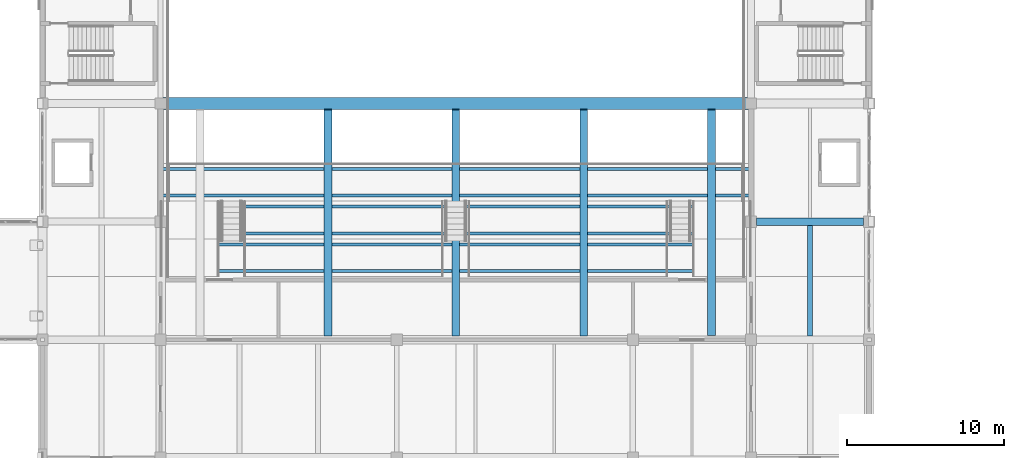
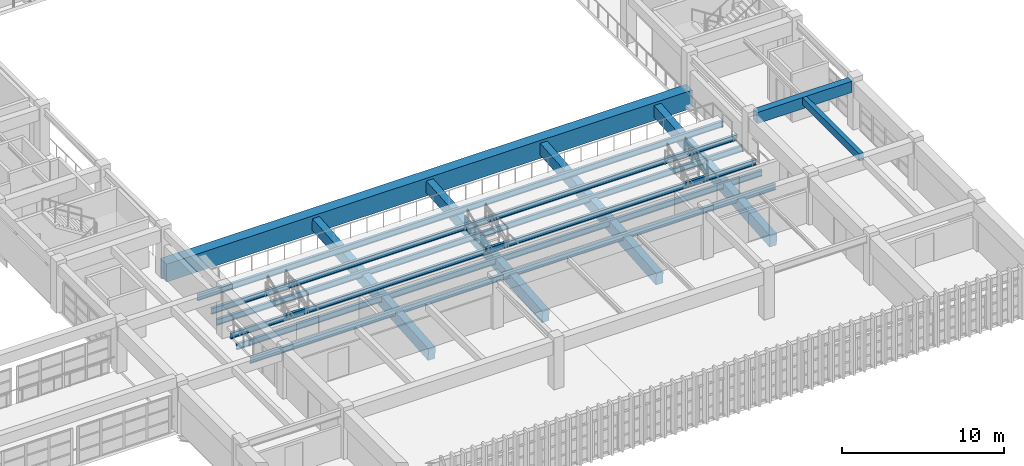
# One storey, part 47 of 101: 13 beams.
"""IFC4 building model written with IfcOpenShell, lengths in metres."""

import ifcopenshell
import ifcopenshell.guid

model = None  # the IFC model being written
_history = None  # IfcOwnerHistory: only IFC2X3 demands one
_inside = {}  # id of a spatial element -> (the spatial element, [elements in it])
_under = {}  # id of a project, library or spatial element -> (it, [spatial elements below it])
_declared = {}  # id of a project -> (the project, [libraries it declares])
_typed = {}  # id of a type object -> (the type object, [elements of that type])
_made_of = {}  # id of a material, layer set ... -> (it, [elements and type objects made of it])


def new_model(schema):
    """Start an empty IFC model of exactly this schema.

    Asked for "IFC4X3", IfcOpenShell would pick the latest addendum, in which some entities
    have other attributes; the version numbers below select the first issue.
    IFC2X3 requires an IfcOwnerHistory on every rooted entity: one is made here for all.
    """
    global model, _history
    if schema == "IFC4X3":
        model = ifcopenshell.file(schema_version=(4, 3, 0, 0))
    else:
        model = ifcopenshell.file(schema=schema)
    _inside.clear()
    _under.clear()
    _declared.clear()
    _typed.clear()
    _made_of.clear()
    _history = None
    if model.schema == "IFC2X3":
        org = make("IfcOrganization", Name="unknown")
        user = make(
            "IfcPersonAndOrganization",
            ThePerson=make("IfcPerson", FamilyName="unknown"),
            TheOrganization=org,
        )
        app = make(
            "IfcApplication",
            ApplicationDeveloper=org,
            Version="unknown",
            ApplicationFullName="unknown",
            ApplicationIdentifier="unknown",
        )
        _history = make(
            "IfcOwnerHistory",
            OwningUser=user,
            OwningApplication=app,
            ChangeAction="ADDED",
            CreationDate=0,
        )
    return model


def make(cls, **values):
    """One entity of the class cls with the attributes given. An attribute that is None is left unset."""
    return model.create_entity(
        cls, **{name: value for name, value in values.items() if value is not None}
    )


def rooted(cls, **values):
    """An entity with a GlobalId (a new one), such as an element, a storey or a relation."""
    return make(cls, GlobalId=ifcopenshell.guid.new(), OwnerHistory=_history, **values)


def si_unit(unit_type, name, prefix=None):
    """IfcSIUnit, for example si_unit("LENGTHUNIT", "METRE", prefix="MILLI")."""
    return make("IfcSIUnit", UnitType=unit_type, Prefix=prefix, Name=name)


def assignment(units):
    """IfcUnitAssignment: the units of a project."""
    return None if units is None else make("IfcUnitAssignment", Units=units)


def point(xyz):
    """IfcCartesianPoint."""
    return None if xyz is None else make("IfcCartesianPoint", Coordinates=xyz)


def direction(xyz):
    """IfcDirection."""
    return None if xyz is None else make("IfcDirection", DirectionRatios=xyz)


def frame(location, z_axis=None, x_axis=None):
    """IfcAxis2Placement3D, a coordinate frame: its origin and axes. An axis left out is left unset."""
    return make(
        "IfcAxis2Placement3D",
        Location=point(location),
        Axis=direction(z_axis),
        RefDirection=direction(x_axis),
    )


def frame_2d(location, x_axis=None):
    """IfcAxis2Placement2D, a coordinate frame in the plane: its origin and x axis."""
    return make(
        "IfcAxis2Placement2D", Location=point(location), RefDirection=direction(x_axis)
    )


def origin():
    """The frame at (0, 0, 0) with its axes left unset."""
    return frame((0.0, 0.0, 0.0))


def origin_2d():
    """The frame at (0, 0) in the plane with its x axis left unset."""
    return frame_2d((0.0, 0.0))


def place(relative_to, where):
    """IfcLocalPlacement: puts the frame where relative to a parent placement (None: the world)."""
    return make(
        "IfcLocalPlacement", PlacementRelTo=relative_to, RelativePlacement=where
    )


def context(
    kind, dimensions, precision=None, world=None, true_north=None, identifier=None
):
    """IfcGeometricRepresentationContext, for example the 3D "Model" context."""
    return make(
        "IfcGeometricRepresentationContext",
        ContextIdentifier=identifier,
        ContextType=kind,
        CoordinateSpaceDimension=dimensions,
        Precision=precision,
        WorldCoordinateSystem=world,
        TrueNorth=true_north,
    )


def subcontext(parent, identifier, kind, view, scale=None):
    """IfcGeometricRepresentationSubContext, for example "Body" below "Model"."""
    return make(
        "IfcGeometricRepresentationSubContext",
        ContextIdentifier=identifier,
        ContextType=kind,
        ParentContext=parent,
        TargetScale=scale,
        TargetView=view,
    )


def project(units=None, contexts=None):
    """IfcProject with its units and contexts."""
    return rooted(
        "IfcProject",
        Name="project",
        RepresentationContexts=contexts,
        UnitsInContext=assignment(units),
    )


def spatial(cls, under=None, at=None, **own):
    """A site, building, storey or space (cls), placed at a placement, below another one or the project."""
    s = rooted(cls, ObjectPlacement=at, **own)
    if under is not None:
        _under.setdefault(under.id(), (under, []))[1].append(s)
    return s


def profile(cls, at=None, kind="AREA", **sizes):
    """A parametric profile (cls). Its sizes go by their IFC names, for example OverallWidth=200.0."""
    return make(cls, ProfileType=kind, Position=at, **sizes)


def rectangle(**sizes):
    """IfcRectangleProfileDef."""
    return profile("IfcRectangleProfileDef", **sizes)


def i_section(**sizes):
    """IfcIShapeProfileDef."""
    return profile("IfcIShapeProfileDef", **sizes)


def extrude(swept, where, along, depth):
    """IfcExtrudedAreaSolid: the profile swept, set in the frame where, extruded along a direction by depth."""
    return make(
        "IfcExtrudedAreaSolid",
        SweptArea=swept,
        Position=where,
        ExtrudedDirection=direction(along),
        Depth=depth,
    )


def shape(context_of_items, identifier, shape_type, items):
    """IfcShapeRepresentation: the items that make up one representation, for example the "Body"."""
    return make(
        "IfcShapeRepresentation",
        ContextOfItems=context_of_items,
        RepresentationIdentifier=identifier,
        RepresentationType=shape_type,
        Items=items,
    )


def material(Name=None, Category=None):
    """IfcMaterial."""
    return make("IfcMaterial", Name=Name, Category=Category)


def material_profile(
    of_material, cross_section, Name=None, Category=None, Priority=None
):
    """IfcMaterialProfile: a cross section and its material."""
    return make(
        "IfcMaterialProfile",
        Name=Name,
        Material=of_material,
        Profile=cross_section,
        Priority=Priority,
        Category=Category,
    )


def profile_set(profiles, Name=None, composite=None):
    """IfcMaterialProfileSet."""
    return make(
        "IfcMaterialProfileSet",
        Name=Name,
        MaterialProfiles=profiles,
        CompositeProfile=composite,
    )


def made_of(thing, what):
    """Note that an element or type object is made of a material, layer set ...; save() writes the relation."""
    if what is not None:
        _made_of.setdefault(what.id(), (what, []))[1].append(thing)
    return thing


def type_object(cls, material=None, **own):
    """A type object (cls), such as IfcWallType, which elements share."""
    return made_of(rooted(cls, **own), material)


def element(
    cls,
    number,
    at=None,
    inside=None,
    cuts=None,
    type_object=None,
    material=None,
    context=None,
    identifier="Body",
    shape_type=None,
    held_by="IfcProductDefinitionShape",
    body=None,
    shapes=None,
    **own,
):
    """One element of the class cls, such as IfcWall. Its Tag is "e" and its number.

    at: its placement. inside: the storey or other place that contains it. cuts: it is an
    opening in that element (IfcRelVoidsElement). A single representation is given by context,
    identifier, shape_type and body (its items); several are given by shapes. held_by: the class
    of the entity that holds the representations. save() writes the other relations.
    """
    e = rooted(cls, Tag="e%d" % number, ObjectPlacement=at, **own)
    if body is not None:
        shapes = [shape(context, identifier, shape_type, body)]
    if shapes is not None:
        e.Representation = make(held_by, Representations=shapes)
    if inside is not None:
        _inside.setdefault(inside.id(), (inside, []))[1].append(e)
    if cuts is not None:
        rooted(
            "IfcRelVoidsElement", RelatingBuildingElement=cuts, RelatedOpeningElement=e
        )
    if type_object is not None:
        _typed.setdefault(type_object.id(), (type_object, []))[1].append(e)
    return made_of(e, material)


def aggregate(whole, parts):
    """IfcRelAggregates: a whole, such as a stair, and the parts it consists of."""
    return rooted("IfcRelAggregates", RelatingObject=whole, RelatedObjects=parts)


def save(model, path):
    """Write the relations noted so far, then the file.

    IfcRelAggregates (storeys below a building ...), IfcRelContainedInSpatialStructure (elements
    in a storey), IfcRelDefinesByType, IfcRelAssociatesMaterial and IfcRelDeclares: one each for
    every whole, place, type object, material and project.
    """
    for whole, parts in _under.values():
        aggregate(whole, parts)
    for where, things in _inside.values():
        rooted(
            "IfcRelContainedInSpatialStructure",
            RelatedElements=things,
            RelatingStructure=where,
        )
    for kind, things in _typed.values():
        rooted("IfcRelDefinesByType", RelatedObjects=things, RelatingType=kind)
    for what, things in _made_of.values():
        rooted("IfcRelAssociatesMaterial", RelatedObjects=things, RelatingMaterial=what)
    for by, libraries in _declared.values():
        rooted("IfcRelDeclares", RelatingContext=by, RelatedDefinitions=libraries)
    model.write(path)


model = new_model("IFC4")

# Units and contexts
model_context = context("Model", 3, precision=1e-05, world=origin(), true_north=direction((0.0, 1.0)))
body_context = subcontext(model_context, "Body", "Model", "MODEL_VIEW")
ifc_project = project(units=[si_unit("LENGTHUNIT", "METRE"), si_unit("AREAUNIT", "SQUARE_METRE"), si_unit("VOLUMEUNIT", "CUBIC_METRE"), si_unit("PLANEANGLEUNIT", "RADIAN"), si_unit("MASSUNIT", "GRAM", prefix="KILO")], contexts=[model_context])

# Site, building, storey
site_placement = place(None, origin())
site = spatial("IfcSite", under=ifc_project, at=site_placement, CompositionType="ELEMENT")
building_placement = place(site_placement, origin())
building = spatial("IfcBuilding", under=site, at=building_placement, Name="Qasida Concert Hall", CompositionType="ELEMENT")
storey_placement = place(building_placement, frame((0.0, 0.0, 13.199951171875)))
storey = spatial("IfcBuildingStorey", under=building, at=storey_placement, Name="L03", CompositionType="ELEMENT", Elevation=13.199951171875)

# Beams
ifc_material_1 = material(Name="Steel S355J2", Category="steel")
ifc_material_profile_1 = material_profile(ifc_material_1, i_section(OverallWidth=0.18994140625, OverallDepth=0.449951171875, WebThickness=0.009521484375, FlangeThickness=0.0146484375, FilletRadius=0.02099609375, at=origin_2d()), Name="IPE 450")
ifc_profile_set_1 = profile_set([ifc_material_profile_1], Name="Steel S355J2")
beam_type_1 = type_object("IfcBeamType", Name="BM-B5", PredefinedType="BEAM", material=ifc_profile_set_1)
for number, where, z_axis, x_axis, name in (
    (1, (60.0, 34.35009765625, -0.02490234375), (1.0, 0.0, 0.0), (0.0, 1.0, 0.0), "Upper balcony tier bearer beam TB-L03-1A"),
    (2, (60.0, 36.050048828125, -0.02490234375), (1.0, 0.0, 0.0), (0.0, 1.0, 0.0), "Upper balcony tier bearer beam TB-L03-1B"),
    (3, (60.0, 36.75, 0.375), (1.0, 0.0, 0.0), (0.0, 1.0, 0.0), "Upper balcony tier bearer beam TB-L03-2A"),
    (4, (60.0, 38.449951171875, 0.375), (1.0, 0.0, 0.0), (0.0, 1.0, 0.0), "Upper balcony tier bearer beam TB-L03-2B"),
    (5, (60.0, 39.14990234375, 0.775146484375), (1.0, 0.0, 0.0), (0.0, 1.0, 0.0), "Upper balcony tier bearer beam TB-L03-3A"),
    (6, (60.0, 40.85009765625, 0.775146484375), (1.0, 0.0, 0.0), (0.0, 1.0, 0.0), "Upper balcony tier bearer beam TB-L03-3B"),
):
    element("IfcBeam", number, at=place(storey_placement, frame(where, z_axis=z_axis, x_axis=x_axis)), inside=storey, type_object=beam_type_1, Name=name, PredefinedType="BEAM", context=body_context, shape_type="SweptSolid", body=[
        extrude(i_section(OverallWidth=0.18994140625, OverallDepth=0.449951171875, WebThickness=0.009521484375, FlangeThickness=0.0146484375, FilletRadius=0.02099609375, at=origin_2d()), origin(), (0.0, 0.0, 1.0), 37.5),
    ])
ifc_material_2 = material(Name="Concrete C50/60", Category="concrete")
ifc_material_profile_2 = material_profile(ifc_material_2, rectangle(XDim=0.75, YDim=1.35009765625, at=origin_2d()), Name="RC 750x1350")
ifc_profile_set_2 = profile_set([ifc_material_profile_2], Name="Concrete C50/60")
beam_type_2 = type_object("IfcBeamType", Name="BM-G5", PredefinedType="USERDEFINED", material=ifc_profile_set_2)
beam_1_placement = place(storey_placement, frame((60.0, 45.0, 0.300048828125), z_axis=(1.0, 0.0, 0.0), x_axis=(0.0, 1.0, 0.0)))
element("IfcBeam", 7, at=beam_1_placement, inside=storey, type_object=beam_type_2, Name="Auditorium upper balcony girder G5-U45", ObjectType="GIRDER", PredefinedType="USERDEFINED", context=body_context, shape_type="SweptSolid", body=[
    extrude(rectangle(XDim=0.75, YDim=1.35009765625, at=origin_2d()), origin(), (0.0, 0.0, 1.0), 37.5),
])
ifc_material_3 = material(Name="Concrete C40/50", Category="concrete")
ifc_material_profile_3 = material_profile(ifc_material_3, rectangle(XDim=0.47998046875, YDim=0.85009765625, at=origin_2d()), Name="RC 480x850")
ifc_profile_set_3 = profile_set([ifc_material_profile_3], Name="Concrete C40/50")
beam_type_3 = type_object("IfcBeamType", Name="BM-G6", PredefinedType="USERDEFINED", material=ifc_profile_set_3)
beam_2_placement = place(storey_placement, frame((97.860107421875, 37.5, 3.195068359375), z_axis=(1.0, 0.0, 0.0), x_axis=(0.0, 1.0, 0.0)))
element("IfcBeam", 8, at=beam_2_placement, inside=storey, type_object=beam_type_3, Name="Primary girder 1521", ObjectType="GIRDER", PredefinedType="USERDEFINED", context=body_context, shape_type="SweptSolid", body=[
    extrude(rectangle(XDim=0.47998046875, YDim=0.85009765625, at=origin_2d()), origin(), (0.0, 0.0, 1.0), 6.77978515625),
])
ifc_material_profile_4 = material_profile(ifc_material_3, rectangle(XDim=0.300048828125, YDim=0.550048828125, at=origin_2d()), Name="RC 300x550")
ifc_profile_set_4 = profile_set([ifc_material_profile_4], Name="Concrete C40/50")
beam_type_4 = type_object("IfcBeamType", Name="BM-J1", PredefinedType="JOIST", material=ifc_profile_set_4)
beam_3_placement = place(storey_placement, frame((101.25, 30.25, 3.344970703125), z_axis=(0.0, 1.0, 0.0), x_axis=(-1.0, 0.0, 0.0)))
element("IfcBeam", 9, at=beam_3_placement, inside=storey, type_object=beam_type_4, Name="L03 secondary joist 1592", PredefinedType="JOIST", context=body_context, shape_type="SweptSolid", body=[
    extrude(rectangle(XDim=0.300048828125, YDim=0.550048828125, at=origin_2d()), origin(), (0.0, 0.0, 1.0), 7.010009765625),
])
ifc_material_profile_5 = material_profile(ifc_material_3, rectangle(XDim=0.5, YDim=0.89990234375, at=origin_2d()), Name="RC 500x900")
ifc_profile_set_5 = profile_set([ifc_material_profile_5], Name="Concrete C40/50")
beam_type_5 = type_object("IfcBeamType", Name="BM-RK1", PredefinedType="USERDEFINED", material=ifc_profile_set_5)
for number, where, z_axis, x_axis, name in (
    (10, (70.625, 30.27490234375, -0.800048828125), (0.0, 0.996803458468, 0.079892835633), (-1.0, 0.0, 0.0), "Raker beam RK-007"),
    (11, (78.75, 30.27490234375, -0.800048828125), (0.0, 0.996803458468, 0.079892835633), (-1.0, 0.0, 0.0), "Raker beam RK-008"),
    (12, (86.875, 30.27490234375, -0.800048828125), (0.0, 0.996803458468, 0.079892835633), (-1.0, 0.0, 0.0), "Raker beam RK-009"),
):
    element("IfcBeam", number, at=place(storey_placement, frame(where, z_axis=z_axis, x_axis=x_axis)), inside=storey, type_object=beam_type_5, Name=name, ObjectType="RAKER", PredefinedType="USERDEFINED", context=body_context, shape_type="SweptSolid", body=[
        extrude(rectangle(XDim=0.5, YDim=0.89990234375, at=origin_2d()), origin(), (0.0, 0.0, 1.0), 14.39599609375),
    ])
beam_4_placement = place(storey_placement, frame((95.0, 30.2900390625, -0.800048828125), z_axis=(0.0, 0.996796736673, 0.07997665758), x_axis=(-1.0, 0.0, 0.0)))
element("IfcBeam", 13, at=beam_4_placement, inside=storey, type_object=beam_type_5, Name="Raker beam RK-010", ObjectType="RAKER", PredefinedType="USERDEFINED", context=body_context, shape_type="SweptSolid", body=[
    extrude(rectangle(XDim=0.5, YDim=0.89990234375, at=origin_2d()), origin(), (0.0, 0.0, 1.0), 14.381103515625),
])

save(model, "model.ifc")
